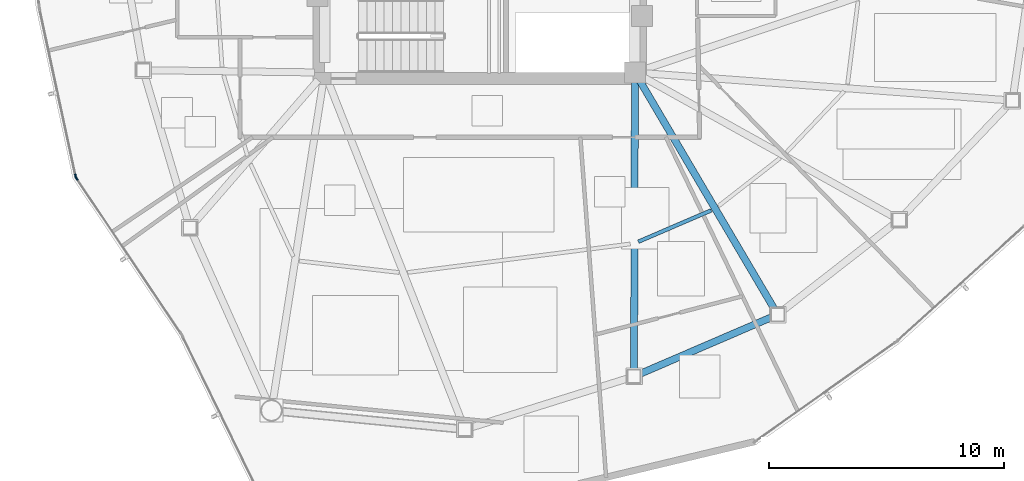
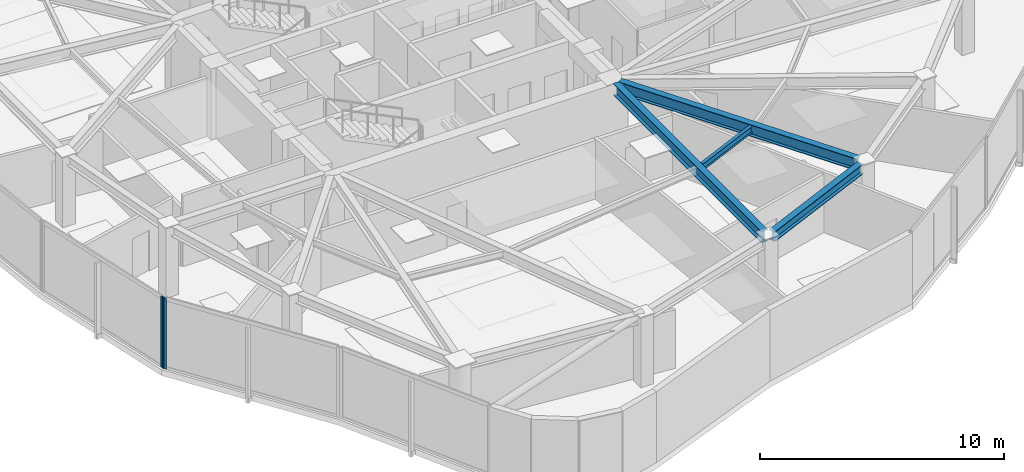
# One storey, part 3 of 17: 4 beams, 2 members, 2 elements without a shape of their own.
"""IFC4 building model written with IfcOpenShell, lengths in metres."""

from ifc_helpers import new_model, si_unit, direction, frame, origin, origin_2d, place, context, subcontext, project, spatial, hollow_rectangle, i_section, extrude, source, transform, mapped, material, layer, layer_set, material_profile, profile_set, type_object, type_shapes, element, aggregate, save


model = new_model("IFC4")

# Units and contexts
model_context = context("Model", 3, precision=1e-05, world=origin(), true_north=direction((0.0, 1.0)))
body_context = subcontext(model_context, "Body", "Model", "MODEL_VIEW")
ifc_project = project(units=[si_unit("LENGTHUNIT", "METRE"), si_unit("AREAUNIT", "SQUARE_METRE"), si_unit("VOLUMEUNIT", "CUBIC_METRE"), si_unit("PLANEANGLEUNIT", "RADIAN"), si_unit("MASSUNIT", "GRAM", prefix="KILO")], contexts=[model_context])

# Site, building, storey
site_placement = place(None, origin())
site = spatial("IfcSite", under=ifc_project, at=site_placement, CompositionType="ELEMENT")
building_placement = place(site_placement, origin())
building = spatial("IfcBuilding", under=site, at=building_placement, Name="Tavelor Broadcast Tower", CompositionType="ELEMENT")
storey_placement = place(building_placement, frame((0.0, 0.0, 196.449951171875)))
storey = spatial("IfcBuildingStorey", under=building, at=storey_placement, Name="L47", CompositionType="ELEMENT", Elevation=196.449951171875)

# Beams
ifc_material_1 = material(Name="Steel S355", Category="steel")
ifc_material_profile_1 = material_profile(ifc_material_1, i_section(OverallWidth=0.159912109375, OverallDepth=0.330078125, WebThickness=0.007568359375, FlangeThickness=0.011474609375, at=origin_2d()), Name="IPE 330")
ifc_profile_set_1 = profile_set([ifc_material_profile_1], Name="Steel S355")
beam_type_1 = type_object("IfcBeamType", Name="Composite Floor Joist T4 IPE 330", PredefinedType="JOIST", material=ifc_profile_set_1)
beam_1_placement = place(storey_placement, frame((56.744384765625, 31.603515625, 3.385009765625), z_axis=(0.918692008618, 0.394974674254, 0.0), x_axis=(-0.394974674254, 0.918692008618, 0.0)))
element("IfcBeam", 1, at=beam_1_placement, inside=storey, type_object=beam_type_1, Name="L47 Secondary Composite Floor Joist 09", PredefinedType="JOIST", context=body_context, shape_type="SweptSolid", body=[
    extrude(i_section(OverallWidth=0.159912109375, OverallDepth=0.330078125, WebThickness=0.007568359375, FlangeThickness=0.011474609375, at=origin_2d()), origin(), (0.0, 0.0, 1.0), 3.37744140625),
])
ifc_material_profile_2 = material_profile(ifc_material_1, i_section(OverallWidth=0.300048828125, OverallDepth=0.5, WebThickness=0.014404296875, FlangeThickness=0.028076171875, at=origin_2d()), Name="HEB 500")
ifc_profile_set_2 = profile_set([ifc_material_profile_2], Name="Steel S355")
beam_type_2 = type_object("IfcBeamType", Name="Perimeter Spandrel Beam T4 HEB 500", PredefinedType="SPANDREL", material=ifc_profile_set_2)
beam_2_placement = place(storey_placement, frame((56.825439453125, 25.98681640625, 3.300048828125), z_axis=(0.91846180915, 0.395509677672, 0.0), x_axis=(-0.395509677672, 0.91846180915, 0.0)))
element("IfcBeam", 2, at=beam_2_placement, inside=storey, type_object=beam_type_2, Name="L47 Framed-Tube Ring Spandrel 09", PredefinedType="SPANDREL", context=body_context, shape_type="SweptSolid", body=[
    extrude(i_section(OverallWidth=0.300048828125, OverallDepth=0.5, WebThickness=0.014404296875, FlangeThickness=0.028076171875, at=origin_2d()), origin(), (0.0, 0.0, 1.0), 6.07470703125),
])
ifc_material_profile_3 = material_profile(ifc_material_1, i_section(OverallWidth=0.300048828125, OverallDepth=0.590087890625, WebThickness=0.012939453125, FlangeThickness=0.02490234375, at=origin_2d()), Name="HEA 600")
ifc_profile_set_3 = profile_set([ifc_material_profile_3], Name="Steel S355")
beam_type_3 = type_object("IfcBeamType", Name="Radial Floor Girder T4 HEA 600", PredefinedType="BEAM", material=ifc_profile_set_3)
beam_3_placement = place(storey_placement, frame((56.5986328125, 38.367919921875, 3.255126953125), z_axis=(-0.0029999865, -0.99999550003, 0.0), x_axis=(0.99999550003, -0.0029999865, 0.0)))
element("IfcBeam", 3, at=beam_3_placement, inside=storey, type_object=beam_type_3, Name="L47 Radial Primary Floor Girder 09", PredefinedType="BEAM", context=body_context, shape_type="SweptSolid", body=[
    extrude(i_section(OverallWidth=0.300048828125, OverallDepth=0.590087890625, WebThickness=0.012939453125, FlangeThickness=0.02490234375, at=origin_2d()), origin(), (0.0, 0.0, 1.0), 12.20703125),
])
beam_4_placement = place(storey_placement, frame((56.8193359375, 38.427734375, 3.255126953125), z_axis=(0.50778362975, -0.861484640233, 0.0), x_axis=(0.861484640233, 0.50778362975, 0.0)))
element("IfcBeam", 4, at=beam_4_placement, inside=storey, type_object=beam_type_3, Name="L47 Radial Primary Floor Girder 10", PredefinedType="BEAM", context=body_context, shape_type="SweptSolid", body=[
    extrude(i_section(OverallWidth=0.300048828125, OverallDepth=0.590087890625, WebThickness=0.012939453125, FlangeThickness=0.02490234375, at=origin_2d()), origin(), (0.0, 0.0, 1.0), 11.232421875),
])

# Curtain wall, member
ifc_material_2 = material(Name="Architectural Anodized Aluminium", Category="aluminium")
ifc_layer = layer(ifc_material_2, 0.18994140625)
ifc_layer_set = layer_set([ifc_layer], Name="Architectural Anodized Aluminium")
curtain_wall_type = type_object("IfcCurtainWallType", Name="Tower Mid-Zone Acoustic Curtain Wall CW03", PredefinedType="NOTDEFINED", material=ifc_layer_set)
curtain_wall_1_placement = place(storey_placement, origin())
curtain_wall_1 = element("IfcCurtainWall", 5, at=curtain_wall_1_placement, inside=storey, type_object=curtain_wall_type, Name="L47 Curtain Wall CW03 Run 506", PredefinedType="NOTDEFINED")
ifc_material_profile_4 = material_profile(ifc_material_2, hollow_rectangle(XDim=0.068115234375, YDim=0.18994140625, WallThickness=0.02197265625, at=origin_2d()), Name="RHS 68x190x22")
ifc_profile_set_4 = profile_set([ifc_material_profile_4], Name="Architectural Anodized Aluminium")
member_type = type_object("IfcMemberType", Name="CW03 Extruded Aluminium Mullion 68x190", PredefinedType="MULLION", material=ifc_profile_set_4)
shared_shape = source(origin(), body_context, "Body", "SweptSolid", [
    extrude(hollow_rectangle(XDim=0.068115234375, YDim=0.18994140625, WallThickness=0.02197265625, at=origin_2d()), origin(), (0.0, 0.0, 1.0), 3.550048828125),
])
type_shapes(member_type, [shared_shape])
member_1_placement = place(storey_placement, frame((32.80712890625, 34.39404296875, 0.0), z_axis=(0.0, 0.0, 1.0), x_axis=(0.977508433273, 0.210896332067, 0.0)))
member_1 = element("IfcMember", 6, at=member_1_placement, type_object=member_type, Name="CW03 mullion 2", PredefinedType="MULLION", context=body_context, shape_type="MappedRepresentation", body=[
    mapped(shared_shape, transform((0.0, 0.0, 0.0), scale=1.0)),
])
aggregate(curtain_wall_1, [member_1])

curtain_wall_2_placement = place(storey_placement, origin())
curtain_wall_2 = element("IfcCurtainWall", 7, at=curtain_wall_2_placement, inside=storey, type_object=curtain_wall_type, Name="L47 Curtain Wall CW03 Run 507", PredefinedType="NOTDEFINED")
member_2_placement = place(storey_placement, frame((32.844970703125, 34.305419921875, 0.0), z_axis=(0.0, 0.0, 1.0), x_axis=(0.829752071351, 0.558132152889, 0.0)))
member_2 = element("IfcMember", 8, at=member_2_placement, type_object=member_type, Name="CW03 mullion 1", PredefinedType="MULLION", context=body_context, shape_type="MappedRepresentation", body=[
    mapped(shared_shape, transform((0.0, 0.0, 0.0), scale=1.0)),
])
aggregate(curtain_wall_2, [member_2])

save(model, "model.ifc")
